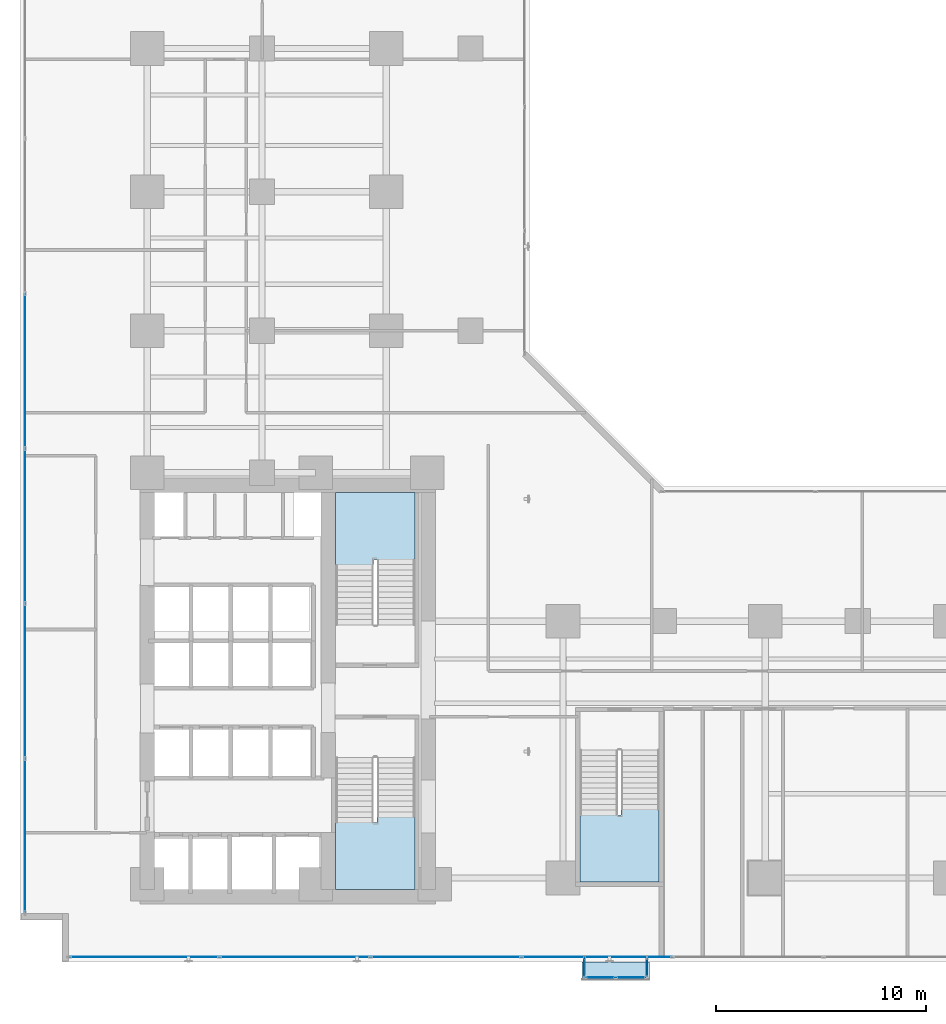
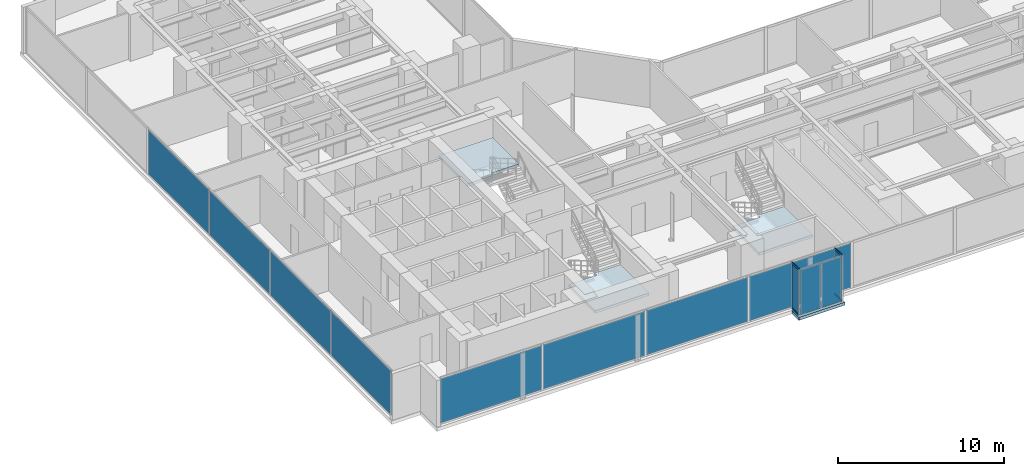
# One storey, part 20 of 28: 12 plates, 4 members, 4 slabs, 8 elements without a shape of their own.
"""IFC4 building model written with IfcOpenShell, lengths in metres."""

from ifc_helpers import new_model, si_unit, direction, frame, origin, origin_with_axes, origin_2d, place, context, subcontext, project, spatial, polyline, rectangle, hollow_rectangle, outline, extrude, source, transform, mapped, material, layer, layer_set, material_profile, profile_set, type_object, element, aggregate, save


model = new_model("IFC4")

# Units and contexts
model_context = context("Model", 3, precision=1e-05, world=origin(), true_north=direction((0.0, 1.0)))
body_context = subcontext(model_context, "Body", "Model", "MODEL_VIEW")
ifc_project = project(units=[si_unit("LENGTHUNIT", "METRE"), si_unit("AREAUNIT", "SQUARE_METRE"), si_unit("VOLUMEUNIT", "CUBIC_METRE"), si_unit("PLANEANGLEUNIT", "RADIAN"), si_unit("MASSUNIT", "GRAM", prefix="KILO")], contexts=[model_context])

# Site, building, storey
site_placement = place(None, origin())
site = spatial("IfcSite", under=ifc_project, at=site_placement, CompositionType="ELEMENT")
building_placement = place(site_placement, origin())
building = spatial("IfcBuilding", under=site, at=building_placement, Name="Kolvaren Waterfront Exchange", CompositionType="ELEMENT")
storey_placement = place(building_placement, frame((0.0, 0.0, 79.0)))
storey = spatial("IfcBuildingStorey", under=building, at=storey_placement, Name="L20", CompositionType="ELEMENT", Elevation=79.0)

# Curtain wall, members
ifc_material_1 = material(Name="Anodised bronze aluminium 6063-T6", Category="aluminium")
ifc_layer_1 = layer(ifc_material_1, 0.219970703125, Name="Anodised bronze aluminium 6063-T6")
ifc_layer_set_1 = layer_set([ifc_layer_1], Name="Anodised bronze aluminium 6063-T6")
curtain_wall_type_1 = type_object("IfcCurtainWallType", Name="ARC-CW-SYS3", PredefinedType="USERDEFINED", material=ifc_layer_set_1)
curtain_wall_1_placement = place(storey_placement, origin())
curtain_wall_1 = element("IfcCurtainWall", 1, at=curtain_wall_1_placement, inside=storey, type_object=curtain_wall_type_1, Name="L20 stick curtain wall CW3 (CW-L20-BOX-W)", ObjectType="STICK CURTAIN WALL", PredefinedType="USERDEFINED")
ifc_material_profile = material_profile(ifc_material_1, hollow_rectangle(XDim=0.06494140625, YDim=0.1298828125, WallThickness=0.00390625, at=origin_2d()), Name="ALU-TRN-130x65x4")
ifc_profile_set = profile_set([ifc_material_profile], Name="Anodised bronze aluminium 6063-T6")
member_type = type_object("IfcMemberType", Name="ARC-CWT-130", PredefinedType="USERDEFINED", material=ifc_profile_set)
shared_shape_1 = source(origin_with_axes(), body_context, "Body", "SweptSolid", [
    extrude(hollow_rectangle(XDim=0.06494140625, YDim=0.1298828125, WallThickness=0.00390625, at=origin_2d()), origin(), (0.0, 0.0, 1.0), 0.830078125),
])
member_1_placement = place(storey_placement, frame((28.2099609375, 1.364990234375, 0.032470703125), z_axis=(0.0, -1.0, 0.0), x_axis=(1.0, 0.0, 0.0)))
member_1 = element("IfcMember", 2, at=member_1_placement, type_object=member_type, Name="CW3 transom 1.1", ObjectType="TRANSOM", PredefinedType="USERDEFINED", context=body_context, shape_type="MappedRepresentation", body=[
    mapped(shared_shape_1, transform((0.0, 0.0, 0.0), x_axis=(1.0, 0.0, 0.0), y_axis=(0.0, 1.0, 0.0), z_axis=(0.0, 0.0, 1.0), scale=1.0)),
])
member_2_placement = place(storey_placement, frame((28.2099609375, 1.364990234375, 3.387451171875), z_axis=(0.0, -1.0, 0.0), x_axis=(1.0, 0.0, 0.0)))
member_2 = element("IfcMember", 3, at=member_2_placement, type_object=member_type, Name="CW3 transom 1.2", ObjectType="TRANSOM", PredefinedType="USERDEFINED", context=body_context, shape_type="MappedRepresentation", body=[
    mapped(shared_shape_1, transform((0.0, 0.0, 0.0), x_axis=(1.0, 0.0, 0.0), y_axis=(0.0, 1.0, 0.0), z_axis=(0.0, 0.0, 1.0), scale=1.0)),
])

curtain_wall_2_placement = place(storey_placement, origin())
curtain_wall_2 = element("IfcCurtainWall", 4, at=curtain_wall_2_placement, inside=storey, type_object=curtain_wall_type_1, Name="L20 stick curtain wall CW3 (CW-L20-BOX-E)", ObjectType="STICK CURTAIN WALL", PredefinedType="USERDEFINED")
member_3_placement = place(storey_placement, frame((31.18994140625, 0.534912109375, 0.032470703125), z_axis=(0.0, 1.0, 0.0), x_axis=(-1.0, 0.0, 0.0)))
member_3 = element("IfcMember", 5, at=member_3_placement, type_object=member_type, Name="CW3 transom 1.1", ObjectType="TRANSOM", PredefinedType="USERDEFINED", context=body_context, shape_type="MappedRepresentation", body=[
    mapped(shared_shape_1, transform((0.0, 0.0, 0.0), x_axis=(1.0, 0.0, 0.0), y_axis=(0.0, 1.0, 0.0), z_axis=(0.0, 0.0, 1.0), scale=1.0)),
])
member_4_placement = place(storey_placement, frame((31.18994140625, 0.534912109375, 3.387451171875), z_axis=(0.0, 1.0, 0.0), x_axis=(-1.0, 0.0, 0.0)))
member_4 = element("IfcMember", 6, at=member_4_placement, type_object=member_type, Name="CW3 transom 1.2", ObjectType="TRANSOM", PredefinedType="USERDEFINED", context=body_context, shape_type="MappedRepresentation", body=[
    mapped(shared_shape_1, transform((0.0, 0.0, 0.0), x_axis=(1.0, 0.0, 0.0), y_axis=(0.0, 1.0, 0.0), z_axis=(0.0, 0.0, 1.0), scale=1.0)),
])

# Stair, slab
ifc_material_2 = material(Name="Concrete C40/50", Category="concrete")
stair_type = type_object("IfcStairType", Name="ARC-STAIR-3800", PredefinedType="HALF_TURN_STAIR", material=ifc_material_2)
stair_1_placement = place(storey_placement, origin())
stair_1 = element("IfcStair", 7, at=stair_1_placement, inside=storey, type_object=stair_type, Name="L20 Smoke-proof exit stair ST1", PredefinedType="HALF_TURN_STAIR")
ifc_layer_2 = layer(ifc_material_2, 0.199951171875, Name="Concrete C40/50")
ifc_layer_set_2 = layer_set([ifc_layer_2], Name="Concrete C40/50")
slab_type_1 = type_object("IfcSlabType", Name="STR-LANDING-200", PredefinedType="LANDING", material=ifc_layer_set_2)
slab_1_placement = place(storey_placement, frame((0.0, 0.0, 1.77587890625)))
slab_1 = element("IfcSlab", 8, at=slab_1_placement, type_object=slab_type_1, Name="ST1 landing 1", PredefinedType="LANDING", context=body_context, shape_type="SweptSolid", body=[
    extrude(outline(polyline([(16.39990234375, 7.840087890625), (16.39990234375, 4.64990234375), (20.159912109375, 4.64990234375), (20.159912109375, 8.10009765625), (18.360107421875, 8.10009765625), (18.360107421875, 7.840087890625), (16.39990234375, 7.840087890625)])), origin(), (0.0, 0.0, 1.0), 0.2001953125),
])
aggregate(stair_1, [slab_1])

stair_2_placement = place(storey_placement, origin())
stair_2 = element("IfcStair", 9, at=stair_2_placement, inside=storey, type_object=stair_type, Name="L20 Smoke-proof exit stair ST2", PredefinedType="HALF_TURN_STAIR")
slab_2_placement = place(storey_placement, frame((0.0, 0.0, 1.77587890625)))
slab_2 = element("IfcSlab", 10, at=slab_2_placement, type_object=slab_type_1, Name="ST2 landing 1", PredefinedType="LANDING", context=body_context, shape_type="SweptSolid", body=[
    extrude(outline(polyline([(20.159912109375, 20.31005859375), (20.159912109375, 23.5), (16.39990234375, 23.5), (16.39990234375, 20.050048828125), (18.199951171875, 20.050048828125), (18.199951171875, 20.31005859375), (20.159912109375, 20.31005859375)])), origin(), (0.0, 0.0, 1.0), 0.2001953125),
])
aggregate(stair_2, [slab_2])

stair_3_placement = place(storey_placement, origin())
stair_3 = element("IfcStair", 11, at=stair_3_placement, inside=storey, type_object=stair_type, Name="L20 Exit stair ST3", PredefinedType="HALF_TURN_STAIR")
slab_3_placement = place(storey_placement, frame((0.0, 0.0, 1.77587890625)))
slab_3 = element("IfcSlab", 12, at=slab_3_placement, type_object=slab_type_1, Name="ST3 landing 1", PredefinedType="LANDING", context=body_context, shape_type="SweptSolid", body=[
    extrude(outline(polyline([(28.0, 8.18994140625), (28.0, 5.0), (31.760009765625, 5.0), (31.760009765625, 8.449951171875), (29.9599609375, 8.449951171875), (29.9599609375, 8.18994140625), (28.0, 8.18994140625)])), origin(), (0.0, 0.0, 1.0), 0.2001953125),
])
aggregate(stair_3, [slab_3])

# Slab
ifc_layer_3 = layer(ifc_material_2, 0.219970703125, Name="Concrete C40/50")
ifc_layer_set_3 = layer_set([ifc_layer_3], Name="Concrete C40/50")
slab_type_2 = type_object("IfcSlabType", Name="STR-TERR-220", PredefinedType="FLOOR", material=ifc_layer_set_3)
slab_4_placement = place(storey_placement, frame((0.0, 0.0, -0.219970703125)))
element("IfcSlab", 13, at=slab_4_placement, inside=storey, type_object=slab_type_2, Name="L20 projecting bay-box floor strip", PredefinedType="FLOOR", context=body_context, shape_type="SweptSolid", body=[
    extrude(outline(polyline([(28.10009765625, 0.35009765625), (31.300048828125, 0.35009765625), (31.300048828125, 1.199951171875), (28.10009765625, 1.199951171875), (28.10009765625, 0.35009765625)])), origin(), (0.0, 0.0, 1.0), 0.219970703125),
])

# Plate
ifc_material_3 = material(Name="Bronze tinted bay-box vision glass", Category="aluminium")
ifc_layer_4 = layer(ifc_material_3, 0.02392578125, Name="Bronze tinted bay-box vision glass")
ifc_layer_set_4 = layer_set([ifc_layer_4], Name="Bronze tinted bay-box vision glass")
plate_type_1 = type_object("IfcPlateType", Name="ARC-CWP-24", PredefinedType="CURTAIN_PANEL", material=ifc_layer_set_4)
shared_shape_2 = source(origin_with_axes(), body_context, "Body", "SweptSolid", [
    extrude(rectangle(XDim=0.830078125, YDim=0.02392578125, at=origin_2d()), origin(), (0.0, 0.0, 1.0), 3.2900390625),
])
plate_1_placement = place(storey_placement, frame((28.2099609375, 0.949951171875, 0.06494140625), z_axis=(0.0, 0.0, 1.0), x_axis=(0.0, -1.0, 0.0)))
plate_1 = element("IfcPlate", 14, at=plate_1_placement, type_object=plate_type_1, Name="CW3 panel 1.1", PredefinedType="CURTAIN_PANEL", context=body_context, shape_type="MappedRepresentation", body=[
    mapped(shared_shape_2, transform((0.0, 0.0, 0.0), x_axis=(1.0, 0.0, 0.0), y_axis=(0.0, 1.0, 0.0), z_axis=(0.0, 0.0, 1.0), scale=1.0)),
])

aggregate(curtain_wall_1, [member_1, member_2, plate_1])

plate_2_placement = place(storey_placement, frame((31.18994140625, 0.949951171875, 0.06494140625), z_axis=(0.0, 0.0, 1.0), x_axis=(0.0, 1.0, 0.0)))
plate_2 = element("IfcPlate", 15, at=plate_2_placement, type_object=plate_type_1, Name="CW3 panel 1.1", PredefinedType="CURTAIN_PANEL", context=body_context, shape_type="MappedRepresentation", body=[
    mapped(shared_shape_2, transform((0.0, 0.0, 0.0), x_axis=(1.0, 0.0, 0.0), y_axis=(0.0, 1.0, 0.0), z_axis=(0.0, 0.0, 1.0), scale=1.0)),
])

aggregate(curtain_wall_2, [member_3, member_4, plate_2])

# Curtain wall, plates
curtain_wall_3_placement = place(storey_placement, origin())
curtain_wall_3 = element("IfcCurtainWall", 16, at=curtain_wall_3_placement, inside=storey, type_object=curtain_wall_type_1, Name="L20 stick curtain wall CW3 (CW-L20-BOX)", ObjectType="STICK CURTAIN WALL", PredefinedType="USERDEFINED")
shared_shape_3 = source(origin_with_axes(), body_context, "Body", "SweptSolid", [
    extrude(rectangle(XDim=1.37744140625, YDim=0.02392578125, at=origin_2d()), origin(), (0.0, 0.0, 1.0), 3.2900390625),
])
plate_3_placement = place(storey_placement, frame((28.9736328125, 0.4599609375, 0.06494140625), z_axis=(0.0, 0.0, 1.0), x_axis=(1.0, 0.0, 0.0)))
plate_3 = element("IfcPlate", 17, at=plate_3_placement, type_object=plate_type_1, Name="CW3 panel 1.1", PredefinedType="CURTAIN_PANEL", context=body_context, shape_type="MappedRepresentation", body=[
    mapped(shared_shape_3, transform((0.0, 0.0, 0.0), x_axis=(1.0, 0.0, 0.0), y_axis=(0.0, 1.0, 0.0), z_axis=(0.0, 0.0, 1.0), scale=1.0)),
])
plate_4_placement = place(storey_placement, frame((30.42626953125, 0.4599609375, 0.06494140625), z_axis=(0.0, 0.0, 1.0), x_axis=(1.0, 0.0, 0.0)))
plate_4 = element("IfcPlate", 18, at=plate_4_placement, type_object=plate_type_1, Name="CW3 panel 2.1", PredefinedType="CURTAIN_PANEL", context=body_context, shape_type="MappedRepresentation", body=[
    mapped(shared_shape_3, transform((0.0, 0.0, 0.0), x_axis=(1.0, 0.0, 0.0), y_axis=(0.0, 1.0, 0.0), z_axis=(0.0, 0.0, 1.0), scale=1.0)),
])
aggregate(curtain_wall_3, [plate_3, plate_4])

ifc_layer_5 = layer(ifc_material_1, 0.219970703125, Name="Anodised bronze aluminium 6063-T6")
ifc_layer_set_5 = layer_set([ifc_layer_5], Name="Anodised bronze aluminium 6063-T6")
curtain_wall_type_2 = type_object("IfcCurtainWallType", Name="ARC-CW-SYS1", PredefinedType="USERDEFINED", material=ifc_layer_set_5)
curtain_wall_4_placement = place(storey_placement, origin())
curtain_wall_4 = element("IfcCurtainWall", 19, at=curtain_wall_4_placement, inside=storey, type_object=curtain_wall_type_2, Name="L20 stick curtain wall CW1 (CW-L20-S)", ObjectType="STICK CURTAIN WALL", PredefinedType="USERDEFINED")
ifc_material_4 = material(Name="Bronze solar control vision glass", Category="aluminium")
ifc_layer_6 = layer(ifc_material_4, 0.028076171875, Name="Bronze solar control vision glass")
ifc_layer_set_6 = layer_set([ifc_layer_6], Name="Bronze solar control vision glass")
plate_type_2 = type_object("IfcPlateType", Name="ARC-CWP-28", PredefinedType="CURTAIN_PANEL", material=ifc_layer_set_6)
shared_shape_4 = source(origin_with_axes(), body_context, "Body", "SweptSolid", [
    extrude(rectangle(XDim=7.054931640625, YDim=0.028076171875, at=origin_2d()), origin(), (0.0, 0.0, 1.0), 3.27001953125),
])
plate_5_placement = place(storey_placement, frame((7.3076171875, 1.43994140625, 0.074951171875), z_axis=(0.0, 0.0, 1.0), x_axis=(1.0, 0.0, 0.0)))
plate_5 = element("IfcPlate", 20, at=plate_5_placement, type_object=plate_type_2, Name="CW1 panel 1.1", PredefinedType="CURTAIN_PANEL", context=body_context, shape_type="MappedRepresentation", body=[
    mapped(shared_shape_4, transform((0.0, 0.0, 0.0), x_axis=(1.0, 0.0, 0.0), y_axis=(0.0, 1.0, 0.0), z_axis=(0.0, 0.0, 1.0), scale=1.0)),
])
shared_shape_5 = source(origin_with_axes(), body_context, "Body", "SweptSolid", [
    extrude(rectangle(XDim=7.094970703125, YDim=0.028076171875, at=origin_2d()), origin(), (0.0, 0.0, 1.0), 3.27001953125),
])
plate_6_placement = place(storey_placement, frame((14.46240234375, 1.43994140625, 0.074951171875), z_axis=(0.0, 0.0, 1.0), x_axis=(1.0, 0.0, 0.0)))
plate_6 = element("IfcPlate", 21, at=plate_6_placement, type_object=plate_type_2, Name="CW1 panel 2.1", PredefinedType="CURTAIN_PANEL", context=body_context, shape_type="MappedRepresentation", body=[
    mapped(shared_shape_5, transform((0.0, 0.0, 0.0), x_axis=(1.0, 0.0, 0.0), y_axis=(0.0, 1.0, 0.0), z_axis=(0.0, 0.0, 1.0), scale=1.0)),
])
plate_7_placement = place(storey_placement, frame((21.637451171875, 1.43994140625, 0.074951171875), z_axis=(0.0, 0.0, 1.0), x_axis=(1.0, 0.0, 0.0)))
plate_7 = element("IfcPlate", 22, at=plate_7_placement, type_object=plate_type_2, Name="CW1 panel 3.1", PredefinedType="CURTAIN_PANEL", context=body_context, shape_type="MappedRepresentation", body=[
    mapped(shared_shape_5, transform((0.0, 0.0, 0.0), x_axis=(1.0, 0.0, 0.0), y_axis=(0.0, 1.0, 0.0), z_axis=(0.0, 0.0, 1.0), scale=1.0)),
])
plate_8_placement = place(storey_placement, frame((28.8125, 1.43994140625, 0.074951171875), z_axis=(0.0, 0.0, 1.0), x_axis=(1.0, 0.0, 0.0)))
plate_8 = element("IfcPlate", 23, at=plate_8_placement, type_object=plate_type_2, Name="CW1 panel 4.1", PredefinedType="CURTAIN_PANEL", context=body_context, shape_type="MappedRepresentation", body=[
    mapped(shared_shape_5, transform((0.0, 0.0, 0.0), x_axis=(1.0, 0.0, 0.0), y_axis=(0.0, 1.0, 0.0), z_axis=(0.0, 0.0, 1.0), scale=1.0)),
])
aggregate(curtain_wall_4, [plate_5, plate_6, plate_7, plate_8])

ifc_material_5 = material(Name="Anodised aluminium 6063-T6", Category="aluminium")
ifc_layer_7 = layer(ifc_material_5, 0.219970703125, Name="Anodised aluminium 6063-T6")
ifc_layer_set_7 = layer_set([ifc_layer_7], Name="Anodised aluminium 6063-T6")
curtain_wall_type_3 = type_object("IfcCurtainWallType", Name="ARC-CW-SYS2", PredefinedType="USERDEFINED", material=ifc_layer_set_7)
curtain_wall_5_placement = place(storey_placement, origin())
curtain_wall_5 = element("IfcCurtainWall", 24, at=curtain_wall_5_placement, inside=storey, type_object=curtain_wall_type_3, Name="L20 stick curtain wall CW2 (CW-L20-W)", ObjectType="STICK CURTAIN WALL", PredefinedType="USERDEFINED")
ifc_material_6 = material(Name="Acoustic laminated vision glass", Category="glass")
ifc_layer_8 = layer(ifc_material_6, 0.031982421875, Name="Acoustic laminated vision glass")
ifc_layer_set_8 = layer_set([ifc_layer_8], Name="Acoustic laminated vision glass")
plate_type_3 = type_object("IfcPlateType", Name="ARC-CWP-32", PredefinedType="CURTAIN_PANEL", material=ifc_layer_set_8)
shared_shape_6 = source(origin_with_axes(), body_context, "Body", "SweptSolid", [
    extrude(rectangle(XDim=7.24658203125, YDim=0.031982421875, at=origin_2d()), origin(), (0.0, 0.0, 1.0), 3.27001953125),
])
plate_9_placement = place(storey_placement, frame((1.639892578125, 7.203369140625, 0.074951171875), z_axis=(0.0, 0.0, 1.0), x_axis=(0.0, 1.0, 0.0)))
plate_9 = element("IfcPlate", 25, at=plate_9_placement, type_object=plate_type_3, Name="CW2 panel 1.1", PredefinedType="CURTAIN_PANEL", context=body_context, shape_type="MappedRepresentation", body=[
    mapped(shared_shape_6, transform((0.0, 0.0, 0.0), x_axis=(1.0, 0.0, 0.0), y_axis=(0.0, 1.0, 0.0), z_axis=(0.0, 0.0, 1.0), scale=1.0)),
])
shared_shape_7 = source(origin_with_axes(), body_context, "Body", "SweptSolid", [
    extrude(rectangle(XDim=7.28662109375, YDim=0.031982421875, at=origin_2d()), origin(), (0.0, 0.0, 1.0), 3.27001953125),
])
plate_10_placement = place(storey_placement, frame((1.639892578125, 14.550048828125, 0.074951171875), z_axis=(0.0, 0.0, 1.0), x_axis=(0.0, 1.0, 0.0)))
plate_10 = element("IfcPlate", 26, at=plate_10_placement, type_object=plate_type_3, Name="CW2 panel 2.1", PredefinedType="CURTAIN_PANEL", context=body_context, shape_type="MappedRepresentation", body=[
    mapped(shared_shape_7, transform((0.0, 0.0, 0.0), x_axis=(1.0, 0.0, 0.0), y_axis=(0.0, 1.0, 0.0), z_axis=(0.0, 0.0, 1.0), scale=1.0)),
])
plate_11_placement = place(storey_placement, frame((1.639892578125, 21.916748046875, 0.074951171875), z_axis=(0.0, 0.0, 1.0), x_axis=(0.0, 1.0, 0.0)))
plate_11 = element("IfcPlate", 27, at=plate_11_placement, type_object=plate_type_3, Name="CW2 panel 3.1", PredefinedType="CURTAIN_PANEL", context=body_context, shape_type="MappedRepresentation", body=[
    mapped(shared_shape_7, transform((0.0, 0.0, 0.0), x_axis=(1.0, 0.0, 0.0), y_axis=(0.0, 1.0, 0.0), z_axis=(0.0, 0.0, 1.0), scale=1.0)),
])
plate_12_placement = place(storey_placement, frame((1.639892578125, 29.283447265625, 0.074951171875), z_axis=(0.0, 0.0, 1.0), x_axis=(0.0, 1.0, 0.0)))
plate_12 = element("IfcPlate", 28, at=plate_12_placement, type_object=plate_type_3, Name="CW2 panel 4.1", PredefinedType="CURTAIN_PANEL", context=body_context, shape_type="MappedRepresentation", body=[
    mapped(shared_shape_7, transform((0.0, 0.0, 0.0), x_axis=(1.0, 0.0, 0.0), y_axis=(0.0, 1.0, 0.0), z_axis=(0.0, 0.0, 1.0), scale=1.0)),
])
aggregate(curtain_wall_5, [plate_9, plate_10, plate_11, plate_12])

save(model, "model.ifc")
